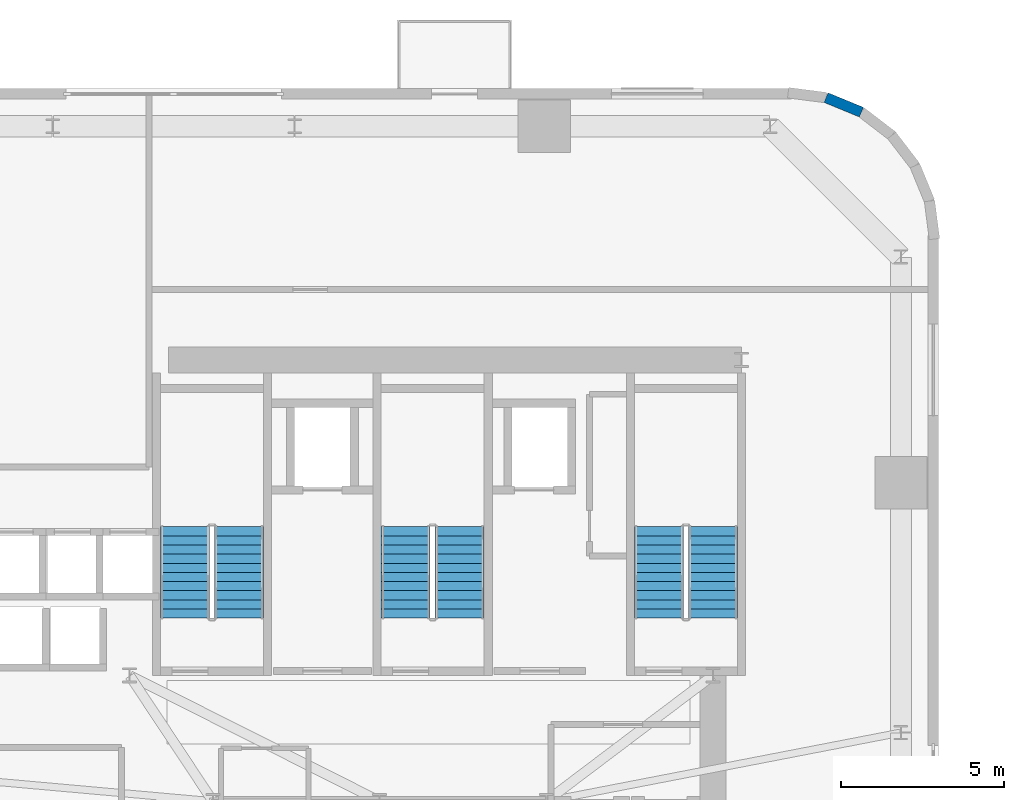
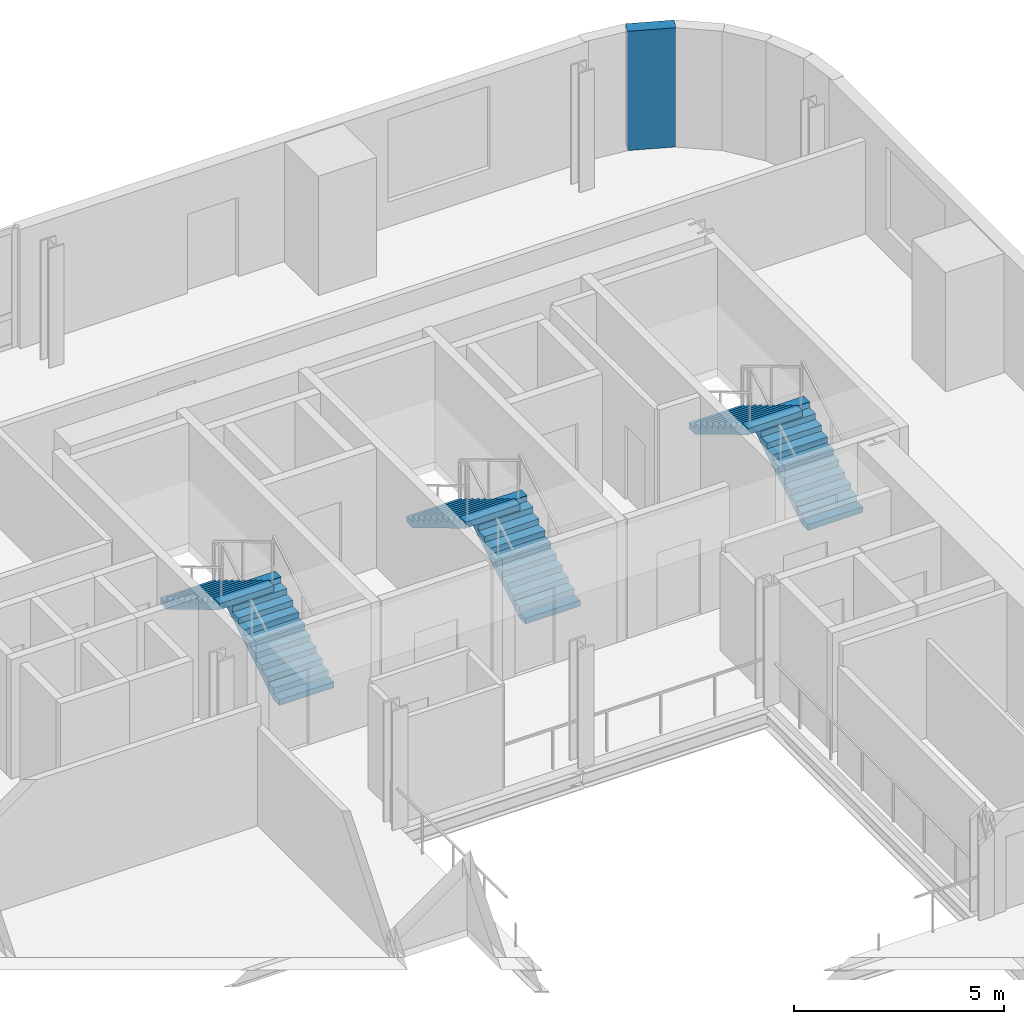
# One storey, part 9 of 14: 6 stair flights, 1 wall, 3 elements without a shape of their own.
"""IFC4 building model written with IfcOpenShell, lengths in metres."""

from ifc_helpers import new_model, si_unit, direction, frame, frame_2d, origin, place, context, subcontext, project, spatial, polyline, rectangle, outline, extrude, source, transform, mapped, material, layer, layer_set, type_object, element, aggregate, save


model = new_model("IFC4")

# Units and contexts
model_context = context("Model", 3, precision=1e-05, world=origin(), true_north=direction((0.0, 1.0)))
body_context = subcontext(model_context, "Body", "Model", "MODEL_VIEW")
ifc_project = project(units=[si_unit("LENGTHUNIT", "METRE"), si_unit("AREAUNIT", "SQUARE_METRE"), si_unit("VOLUMEUNIT", "CUBIC_METRE"), si_unit("PLANEANGLEUNIT", "RADIAN"), si_unit("MASSUNIT", "GRAM", prefix="KILO")], contexts=[model_context])

# Site, building, storey
site_placement = place(None, origin())
site = spatial("IfcSite", under=ifc_project, at=site_placement, CompositionType="ELEMENT")
building_placement = place(site_placement, origin())
building = spatial("IfcBuilding", under=site, at=building_placement, Name="Vardaveli Station Tower", CompositionType="ELEMENT")
storey_placement = place(building_placement, frame((0.0, 0.0, 133.5)))
storey = spatial("IfcBuildingStorey", under=building, at=storey_placement, Name="L34", CompositionType="ELEMENT", Elevation=133.5)

# Wall
ifc_material_1 = material(Name="Precast concrete C45/55", Category="concrete")
ifc_layer = layer(ifc_material_1, 0.320068359375, Name="Precast concrete C45/55")
ifc_layer_set = layer_set([ifc_layer], Name="Precast concrete C45/55")
wall_type = type_object("IfcWallType", Name="WAL-EXT-STONE-320", PredefinedType="SOLIDWALL", material=ifc_layer_set)
shared_shape_1 = source(origin(), body_context, "Body", "SweptSolid", [
    extrude(rectangle(XDim=1.169189453125, YDim=0.320068359375, at=frame_2d((0.58447265625, 0.0))), origin(), (0.0, 0.0, 1.0), 3.4599609375),
])
wall_placement = place(storey_placement, frame((51.041259765625, 47.8798828125, 0.0), z_axis=(0.0, 0.0, 1.0), x_axis=(-0.924552646638, 0.381054331552, 0.0)))
element("IfcWall", 1, at=wall_placement, inside=storey, type_object=wall_type, Name="EW-L34-CR3-5", PredefinedType="SOLIDWALL", context=body_context, shape_type="MappedRepresentation", body=[
    mapped(shared_shape_1, transform((0.0, 0.0, 0.0), scale=1.0)),
])

# Stair, stair flights
ifc_material_2 = material(Name="Concrete C40/50", Category="concrete")
stair_type = type_object("IfcStairType", Name="STR-CORE-1500", PredefinedType="HALF_TURN_STAIR", material=ifc_material_2)
stair_1_placement = place(storey_placement, origin())
stair_1 = element("IfcStair", 2, at=stair_1_placement, inside=storey, type_object=stair_type, Name="L34 ST-1", PredefinedType="HALF_TURN_STAIR")
stair_flight_type = type_object("IfcStairFlightType", Name="SFL-CORE-1500", PredefinedType="STRAIGHT", material=ifc_material_2)
shared_shape_2 = source(origin(), body_context, "Body", "SweptSolid", [
    extrude(outline(polyline([(0.0, 0.0), (0.0, 0.168212890625), (0.280029296875, 0.168212890625), (0.280029296875, 0.33642578125), (0.56005859375, 0.33642578125), (0.56005859375, 0.504638671875), (0.840087890625, 0.504638671875), (0.840087890625, 0.672607421875), (1.1201171875, 0.672607421875), (1.1201171875, 0.8408203125), (1.39990234375, 0.8408203125), (1.39990234375, 1.009033203125), (1.679931640625, 1.009033203125), (1.679931640625, 1.17724609375), (1.9599609375, 1.17724609375), (1.9599609375, 1.345458984375), (2.239990234375, 1.345458984375), (2.239990234375, 1.513671875), (2.52001953125, 1.513671875), (2.52001953125, 1.681884765625), (2.800048828125, 1.681884765625), (2.800048828125, 1.85009765625), (2.800048828125, 1.5068359375), (0.291015625, 0.0), (0.0, 0.0)])), frame((0.0, 0.75, 0.0), z_axis=(0.0, -1.0, 0.0), x_axis=(1.0, 0.0, 0.0)), (0.0, 0.0, 1.0), 1.5),
])
stair_flight_1_placement = place(storey_placement, frame((32.0, 32.39990234375, 0.0), z_axis=(0.0, 0.0, 1.0), x_axis=(0.0, 1.0, 0.0)))
stair_flight_1 = element("IfcStairFlight", 3, at=stair_flight_1_placement, type_object=stair_flight_type, Name="ST-1 flight 1", NumberOfRisers=11, NumberOfTreads=10, PredefinedType="STRAIGHT", RiserHeight=0.168181818, TreadLength=0.28, context=body_context, shape_type="MappedRepresentation", body=[
    mapped(shared_shape_2, transform((0.0, 0.0, 0.0), scale=1.0)),
])
stair_flight_2_placement = place(storey_placement, frame((30.35009765625, 35.199951171875, 1.85009765625), z_axis=(0.0, 0.0, 1.0), x_axis=(0.0, -1.0, 0.0)))
stair_flight_2 = element("IfcStairFlight", 4, at=stair_flight_2_placement, type_object=stair_flight_type, Name="ST-1 flight 2", NumberOfRisers=11, NumberOfTreads=10, PredefinedType="STRAIGHT", RiserHeight=0.168181818, TreadLength=0.28, context=body_context, shape_type="MappedRepresentation", body=[
    mapped(shared_shape_2, transform((0.0, 0.0, 0.0), scale=1.0)),
])
aggregate(stair_1, [stair_flight_1, stair_flight_2])

stair_2_placement = place(storey_placement, origin())
stair_2 = element("IfcStair", 5, at=stair_2_placement, inside=storey, type_object=stair_type, Name="L34 ST-2", PredefinedType="HALF_TURN_STAIR")
stair_flight_3_placement = place(storey_placement, frame((38.75, 32.39990234375, 0.0), z_axis=(0.0, 0.0, 1.0), x_axis=(0.0, 1.0, 0.0)))
stair_flight_3 = element("IfcStairFlight", 6, at=stair_flight_3_placement, type_object=stair_flight_type, Name="ST-2 flight 1", NumberOfRisers=11, NumberOfTreads=10, PredefinedType="STRAIGHT", RiserHeight=0.168181818, TreadLength=0.28, context=body_context, shape_type="MappedRepresentation", body=[
    mapped(shared_shape_2, transform((0.0, 0.0, 0.0), scale=1.0)),
])
stair_flight_4_placement = place(storey_placement, frame((37.10009765625, 35.199951171875, 1.85009765625), z_axis=(0.0, 0.0, 1.0), x_axis=(0.0, -1.0, 0.0)))
stair_flight_4 = element("IfcStairFlight", 7, at=stair_flight_4_placement, type_object=stair_flight_type, Name="ST-2 flight 2", NumberOfRisers=11, NumberOfTreads=10, PredefinedType="STRAIGHT", RiserHeight=0.168181818, TreadLength=0.28, context=body_context, shape_type="MappedRepresentation", body=[
    mapped(shared_shape_2, transform((0.0, 0.0, 0.0), scale=1.0)),
])
aggregate(stair_2, [stair_flight_3, stair_flight_4])

stair_3_placement = place(storey_placement, origin())
stair_3 = element("IfcStair", 8, at=stair_3_placement, inside=storey, type_object=stair_type, Name="L34 ST-3", PredefinedType="HALF_TURN_STAIR")
stair_flight_5_placement = place(storey_placement, frame((46.5, 32.39990234375, 0.0), z_axis=(0.0, 0.0, 1.0), x_axis=(0.0, 1.0, 0.0)))
stair_flight_5 = element("IfcStairFlight", 9, at=stair_flight_5_placement, type_object=stair_flight_type, Name="ST-3 flight 1", NumberOfRisers=11, NumberOfTreads=10, PredefinedType="STRAIGHT", RiserHeight=0.168181818, TreadLength=0.28, context=body_context, shape_type="MappedRepresentation", body=[
    mapped(shared_shape_2, transform((0.0, 0.0, 0.0), scale=1.0)),
])
stair_flight_6_placement = place(storey_placement, frame((44.85009765625, 35.199951171875, 1.85009765625), z_axis=(0.0, 0.0, 1.0), x_axis=(0.0, -1.0, 0.0)))
stair_flight_6 = element("IfcStairFlight", 10, at=stair_flight_6_placement, type_object=stair_flight_type, Name="ST-3 flight 2", NumberOfRisers=11, NumberOfTreads=10, PredefinedType="STRAIGHT", RiserHeight=0.168181818, TreadLength=0.28, context=body_context, shape_type="MappedRepresentation", body=[
    mapped(shared_shape_2, transform((0.0, 0.0, 0.0), scale=1.0)),
])
aggregate(stair_3, [stair_flight_5, stair_flight_6])

save(model, "model.ifc")
